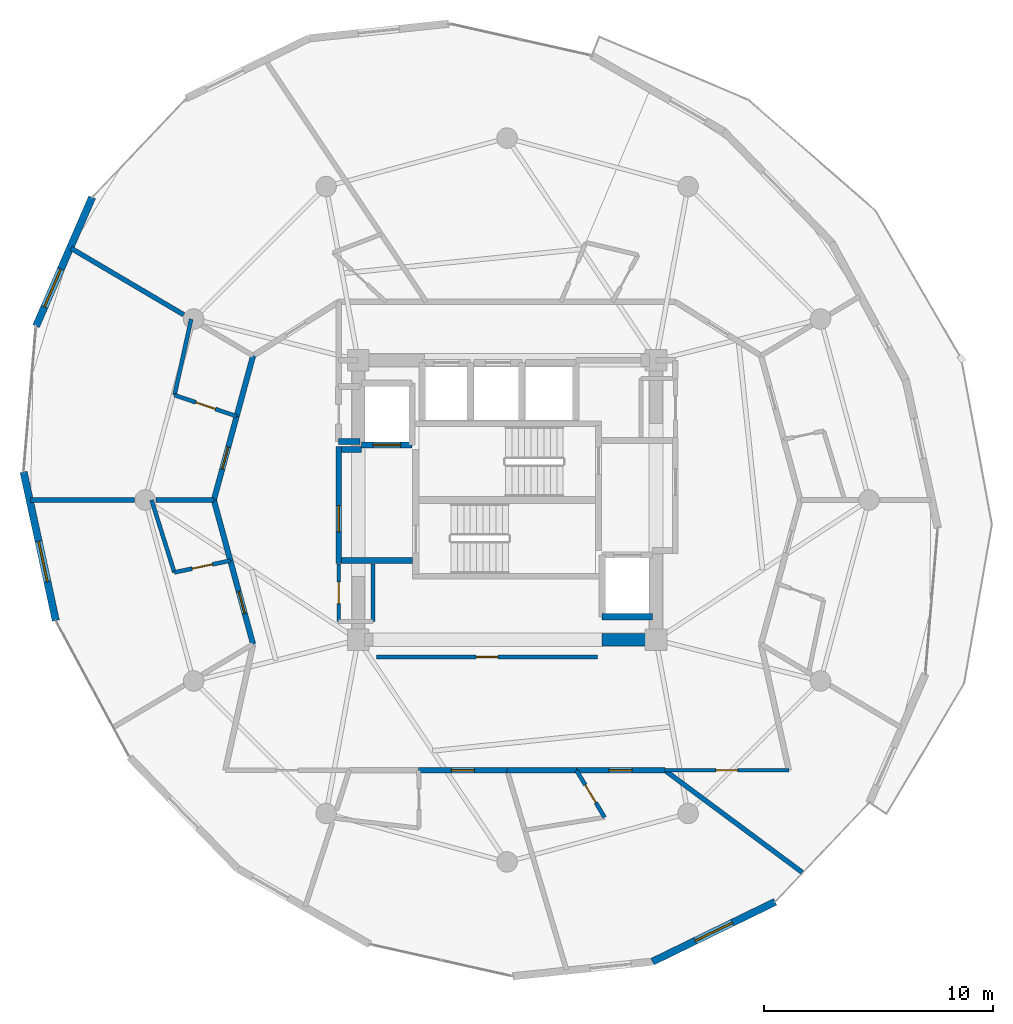
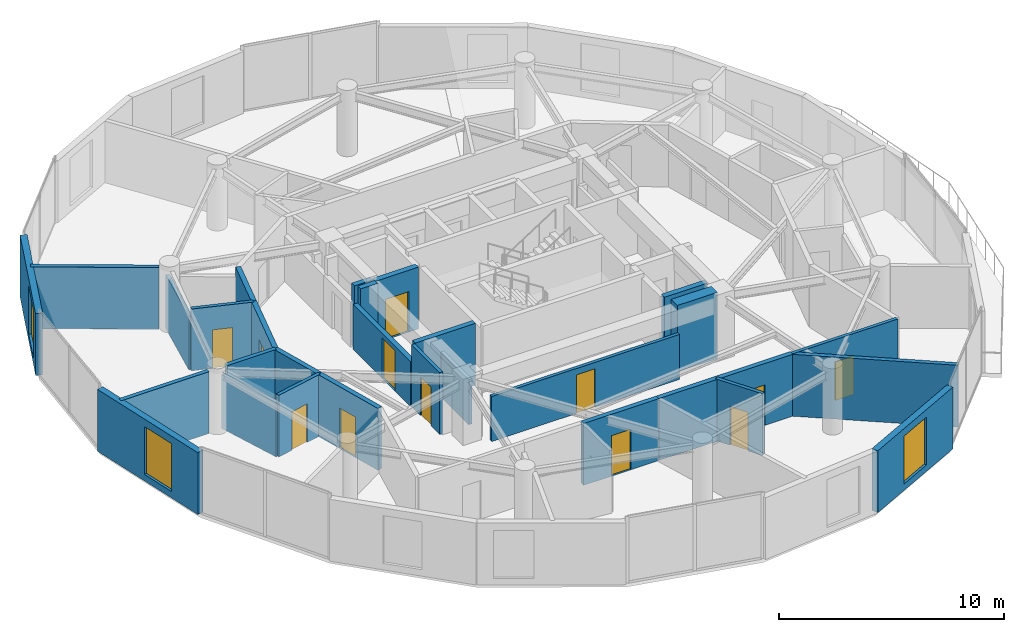
# One storey, part 18 of 23: 30 walls, 12 doors, 3 windows, 15 openings.
"""IFC4 building model written with IfcOpenShell, lengths in metres."""

from ifc_helpers import new_model, si_unit, direction, frame, frame_2d, origin, place, context, subcontext, project, spatial, rectangle, extrude, material, layer, layer_set, type_object, element, fill, save


model = new_model("IFC4")

# Units and contexts
model_context = context("Model", 3, precision=1e-05, world=origin(), true_north=direction((0.0, 1.0)))
body_context = subcontext(model_context, "Body", "Model", "MODEL_VIEW")
ifc_project = project(units=[si_unit("LENGTHUNIT", "METRE"), si_unit("AREAUNIT", "SQUARE_METRE"), si_unit("VOLUMEUNIT", "CUBIC_METRE"), si_unit("PLANEANGLEUNIT", "RADIAN"), si_unit("MASSUNIT", "GRAM", prefix="KILO")], contexts=[model_context])

# Site, building, storey
site_placement = place(None, origin())
site = spatial("IfcSite", under=ifc_project, at=site_placement, CompositionType="ELEMENT")
building_placement = place(site_placement, origin())
building = spatial("IfcBuilding", under=site, at=building_placement, Name="Solvirekh Grand Hotel", CompositionType="ELEMENT")
storey_placement = place(building_placement, frame((0.0, 0.0, 176.800048828125)))
storey = spatial("IfcBuildingStorey", under=building, at=storey_placement, Name="L45", CompositionType="ELEMENT", Elevation=176.800048828125)

# Wall, opening, door
ifc_material_1 = material(Name="Concrete C40/50", Category="concrete")
ifc_layer_1 = layer(ifc_material_1, 0.280029296875)
ifc_layer_set_1 = layer_set([ifc_layer_1], Name="Concrete C40/50")
wall_type_1 = type_object("IfcWallType", Name="CoreShaftWall_RC280", PredefinedType="SOLIDWALL", material=ifc_layer_set_1)
wall_1_placement = place(storey_placement, frame((-6.35009765625, 2.39990234375, 0.0), z_axis=(0.0, 0.0, 1.0), x_axis=(1.0, 0.0, 0.0)))
wall_1 = element("IfcWall", 1, at=wall_1_placement, inside=storey, type_object=wall_type_1, Name="L45 FL-1 hoistway S wall", PredefinedType="SOLIDWALL", context=body_context, shape_type="SweptSolid", body=[
    extrude(rectangle(XDim=2.2001953125, YDim=0.280029296875, at=frame_2d((1.10009765625, 0.0))), origin(), (0.0, 0.0, 1.0), 3.35986328125),
])
opening_1_placement = place(wall_1_placement, frame((0.5, 0.0, 0.0)))
opening_1 = element("IfcOpeningElement", 2, at=opening_1_placement, cuts=wall_1, Name="Opening LD02", PredefinedType="OPENING", context=body_context, shape_type="SweptSolid", body=[
    extrude(rectangle(XDim=1.199951171875, YDim=2.199951171875, at=frame_2d((0.60009765625, 1.10009765625))), frame((0.0, 0.14990234375, 0.0), z_axis=(0.0, -1.0, 0.0), x_axis=(1.0, 0.0, 0.0)), (0.0, 0.0, 1.0), 0.300048828125),
])
ifc_material_2 = material(Name="Fire-Rated Steel Door Assembly", Category="steel")
door_type_1 = type_object("IfcDoorType", Name="Door_LiftFF_1200X2200", OperationType="SLIDING_TO_LEFT", PredefinedType="DOOR", material=ifc_material_2)
door_1_placement = place(opening_1_placement, origin())
door_1 = element("IfcDoor", 3, at=door_1_placement, inside=storey, type_object=door_type_1, Name="L45 FL-1 sliding lift landing door", OperationType="SLIDING_TO_LEFT", OverallHeight=2.199951171875, OverallWidth=1.199951171875, PredefinedType="DOOR", context=body_context, shape_type="SweptSolid", body=[
    extrude(rectangle(XDim=1.199951171875, YDim=2.199951171875, at=frame_2d((0.60009765625, 1.10009765625))), frame((0.0, 0.02490234375, 0.0), z_axis=(0.0, -1.0, 0.0), x_axis=(1.0, 0.0, 0.0)), (0.0, 0.0, 1.0), 0.050048828125),
])
fill(opening_1, door_1)

# Walls
wall_2_placement = place(storey_placement, frame((4.14990234375, -5.10009765625, 0.0), z_axis=(0.0, 0.0, 1.0), x_axis=(1.0, 0.0, 0.0)))
element("IfcWall", 4, at=wall_2_placement, inside=storey, type_object=wall_type_1, Name="L45 FL-2 hoistway S wall", PredefinedType="SOLIDWALL", context=body_context, shape_type="SweptSolid", body=[
    extrude(rectangle(XDim=2.2001953125, YDim=0.280029296875, at=frame_2d((1.10009765625, 0.0))), origin(), (0.0, 0.0, 1.0), 3.35986328125),
])
ifc_material_3 = material(Name="Concrete C50/60", Category="concrete")
ifc_layer_2 = layer(ifc_material_3, 0.550048828125)
ifc_layer_set_2 = layer_set([ifc_layer_2], Name="Concrete C50/60")
wall_type_2 = type_object("IfcWallType", Name="CoreWall_RC550", PredefinedType="SHEAR", material=ifc_layer_set_2)
wall_3_placement = place(storey_placement, frame((4.14990234375, -6.10009765625, 0.0), z_axis=(0.0, 0.0, 1.0), x_axis=(1.0, 0.0, 0.0)))
element("IfcWall", 5, at=wall_3_placement, inside=storey, type_object=wall_type_2, Name="L45 core corner shear wall SE-S", PredefinedType="SHEAR", context=body_context, shape_type="SweptSolid", body=[
    extrude(rectangle(XDim=2.0751953125, YDim=0.550048828125, at=frame_2d((1.03759765625, 0.0))), origin(), (0.0, 0.0, 1.0), 3.599853515625),
])

# Wall, opening, window
ifc_material_4 = material(Name="Precast concrete C45/55", Category="concrete")
ifc_layer_3 = layer(ifc_material_4, 0.320068359375)
ifc_layer_set_3 = layer_set([ifc_layer_3], Name="Precast concrete C45/55")
wall_type_3 = type_object("IfcWallType", Name="ExtLobbyWall_RC320", PredefinedType="SOLIDWALL", material=ifc_layer_set_3)
wall_4_placement = place(storey_placement, frame((-20.56005859375, 7.590087890625, 0.0), z_axis=(0.0, 0.0, 1.0), x_axis=(0.398911001453, 0.916989647117, 0.0)))
wall_4 = element("IfcWall", 6, at=wall_4_placement, inside=storey, type_object=wall_type_3, Name="L45 exterior structural wall chord 12", PredefinedType="SOLIDWALL", context=body_context, shape_type="SweptSolid", body=[
    extrude(rectangle(XDim=6.1318359375, YDim=0.320068359375, at=frame_2d((3.06591796875, 0.0))), origin(), (0.0, 0.0, 1.0), 3.35986328125),
])
opening_2_placement = place(wall_4_placement, frame((0.9130859375, 0.0, 0.35009765625)))
opening_2 = element("IfcOpeningElement", 7, at=opening_2_placement, cuts=wall_4, Name="Opening W02", PredefinedType="OPENING", context=body_context, shape_type="SweptSolid", body=[
    extrude(rectangle(XDim=1.800048828125, YDim=2.60009765625, at=frame_2d((0.89990234375, 1.300048828125))), frame((0.0, 0.169921875, 0.0), z_axis=(0.0, -1.0, 0.0), x_axis=(1.0, 0.0, 0.0)), (0.0, 0.0, 1.0), 0.340087890625),
])
ifc_material_5 = material(Name="Low-E Tinted Bronze Laminated Glass", Category="aluminium")
window_type = type_object("IfcWindowType", Name="Win_LobbyExt_1800X2600", PartitioningType="SINGLE_PANEL", PredefinedType="WINDOW", material=ifc_material_5)
window_1_placement = place(opening_2_placement, origin())
window_1 = element("IfcWindow", 8, at=window_1_placement, inside=storey, type_object=window_type, Name="L45 panoramic bronze-framed window 12", OverallHeight=2.60009765625, OverallWidth=1.800048828125, PartitioningType="SINGLE_PANEL", PredefinedType="WINDOW", context=body_context, shape_type="SweptSolid", body=[
    extrude(rectangle(XDim=1.800048828125, YDim=2.60009765625, at=frame_2d((0.89990234375, 1.300048828125))), frame((0.0, 0.030029296875, 0.0), z_axis=(0.0, -1.0, 0.0), x_axis=(1.0, 0.0, 0.0)), (0.0, 0.0, 1.0), 0.06005859375),
])
fill(opening_2, window_1)

wall_5_placement = place(storey_placement, frame((-19.697998046875, -5.261962890625, 0.0), z_axis=(0.0, 0.0, 1.0), x_axis=(-0.211992849193, 0.977271217161, 0.0)))
wall_5 = element("IfcWall", 9, at=wall_5_placement, inside=storey, type_object=wall_type_3, Name="L45 exterior structural wall chord 14", PredefinedType="SOLIDWALL", context=body_context, shape_type="SweptSolid", body=[
    extrude(rectangle(XDim=6.636962890625, YDim=0.320068359375, at=frame_2d((3.318359375, 0.0))), origin(), (0.0, 0.0, 1.0), 3.35986328125),
])
opening_3_placement = place(wall_5_placement, frame((1.738037109375, 0.0, 0.35009765625)))
opening_3 = element("IfcOpeningElement", 10, at=opening_3_placement, cuts=wall_5, Name="Opening W02", PredefinedType="OPENING", context=body_context, shape_type="SweptSolid", body=[
    extrude(rectangle(XDim=1.800048828125, YDim=2.60009765625, at=frame_2d((0.89990234375, 1.300048828125))), frame((0.0, 0.169921875, 0.0), z_axis=(0.0, -1.0, 0.0), x_axis=(1.0, 0.0, 0.0)), (0.0, 0.0, 1.0), 0.340087890625),
])
window_2_placement = place(opening_3_placement, origin())
window_2 = element("IfcWindow", 11, at=window_2_placement, inside=storey, type_object=window_type, Name="L45 panoramic bronze-framed window 14", OverallHeight=2.60009765625, OverallWidth=1.800048828125, PartitioningType="SINGLE_PANEL", PredefinedType="WINDOW", context=body_context, shape_type="SweptSolid", body=[
    extrude(rectangle(XDim=1.800048828125, YDim=2.60009765625, at=frame_2d((0.89990234375, 1.300048828125))), frame((0.0, 0.030029296875, 0.0), z_axis=(0.0, -1.0, 0.0), x_axis=(1.0, 0.0, 0.0)), (0.0, 0.0, 1.0), 0.06005859375),
])
fill(opening_3, window_2)

wall_6_placement = place(storey_placement, frame((11.7080078125, -17.5419921875, 0.0), z_axis=(0.0, 0.0, 1.0), x_axis=(-0.899034471399, -0.437877858811, 0.0)))
wall_6 = element("IfcWall", 12, at=wall_6_placement, inside=storey, type_object=wall_type_3, Name="L45 exterior structural wall chord 20", PredefinedType="SOLIDWALL", context=body_context, shape_type="SweptSolid", body=[
    extrude(rectangle(XDim=5.967529296875, YDim=0.320068359375, at=frame_2d((2.98388671875, 0.0))), origin(), (0.0, 0.0, 1.0), 3.35986328125),
])
opening_4_placement = place(wall_6_placement, frame((2.083984375, 0.0, 0.35009765625)))
opening_4 = element("IfcOpeningElement", 13, at=opening_4_placement, cuts=wall_6, Name="Opening W02", PredefinedType="OPENING", context=body_context, shape_type="SweptSolid", body=[
    extrude(rectangle(XDim=1.800048828125, YDim=2.60009765625, at=frame_2d((0.89990234375, 1.300048828125))), frame((0.0, 0.169921875, 0.0), z_axis=(0.0, -1.0, 0.0), x_axis=(1.0, 0.0, 0.0)), (0.0, 0.0, 1.0), 0.340087890625),
])
window_3_placement = place(opening_4_placement, origin())
window_3 = element("IfcWindow", 14, at=window_3_placement, inside=storey, type_object=window_type, Name="L45 panoramic bronze-framed window 20", OverallHeight=2.60009765625, OverallWidth=1.800048828125, PartitioningType="SINGLE_PANEL", PredefinedType="WINDOW", context=body_context, shape_type="SweptSolid", body=[
    extrude(rectangle(XDim=1.800048828125, YDim=2.60009765625, at=frame_2d((0.89990234375, 1.300048828125))), frame((0.0, 0.030029296875, 0.0), z_axis=(0.0, -1.0, 0.0), x_axis=(1.0, 0.0, 0.0)), (0.0, 0.0, 1.0), 0.06005859375),
])
fill(opening_4, window_3)

# Wall
ifc_material_6 = material(Name="Acoustic Gypsum Partition Assembly")
ifc_layer_4 = layer(ifc_material_6, 0.1650390625)
ifc_layer_set_4 = layer_set([ifc_layer_4], Name="Acoustic Gypsum Partition Assembly")
wall_type_4 = type_object("IfcWallType", Name="Part_BOH_165", PredefinedType="PARTITIONING", material=ifc_layer_set_4)
wall_7_placement = place(storey_placement, frame((-5.85009765625, -5.300048828125, 0.0), z_axis=(0.0, 0.0, 1.0), x_axis=(0.0, 1.0, 0.0)))
element("IfcWall", 15, at=wall_7_placement, inside=storey, type_object=wall_type_4, Name="L45 L45 Core Linen Store wall 2", PredefinedType="PARTITIONING", context=body_context, shape_type="SweptSolid", body=[
    extrude(rectangle(XDim=2.5, YDim=0.1650390625, at=frame_2d((1.25, 0.0))), origin(), (0.0, 0.0, 1.0), 2.445068359375),
])

# Wall, opening, door
wall_8_placement = place(storey_placement, frame((-7.35009765625, -2.800048828125, 0.0), z_axis=(0.0, 0.0, 1.0), x_axis=(0.0, -1.0, 0.0)))
wall_8 = element("IfcWall", 16, at=wall_8_placement, inside=storey, type_object=wall_type_4, Name="L45 L45 Core Linen Store wall 4", PredefinedType="PARTITIONING", context=body_context, shape_type="SweptSolid", body=[
    extrude(rectangle(XDim=2.5, YDim=0.1650390625, at=frame_2d((1.25, 0.0))), origin(), (0.0, 0.0, 1.0), 3.35986328125),
])
opening_5_placement = place(wall_8_placement, frame((0.77490234375, 0.0, 0.0)))
opening_5 = element("IfcOpeningElement", 17, at=opening_5_placement, cuts=wall_8, Name="Opening D10", PredefinedType="OPENING", context=body_context, shape_type="SweptSolid", body=[
    extrude(rectangle(XDim=0.949951171875, YDim=2.10009765625, at=frame_2d((0.47509765625, 1.050048828125))), frame((0.0, 0.092529296875, 0.0), z_axis=(0.0, -1.0, 0.0), x_axis=(1.0, 0.0, 0.0)), (0.0, 0.0, 1.0), 0.18505859375),
])
ifc_material_7 = material(Name="Anodized Bronze Aluminium 6063-T6", Category="aluminium")
door_type_2 = type_object("IfcDoorType", Name="Door_RoomInt_950X2100", OperationType="NOTDEFINED", PredefinedType="DOOR", material=ifc_material_7)
door_2_placement = place(opening_5_placement, origin())
door_2 = element("IfcDoor", 18, at=door_2_placement, inside=storey, type_object=door_type_2, Name="L45 L45 Core Linen Store door", OperationType="SINGLE_SWING_LEFT", OverallHeight=2.10009765625, OverallWidth=0.949951171875, PredefinedType="DOOR", context=body_context, shape_type="SweptSolid", body=[
    extrude(rectangle(XDim=0.949951171875, YDim=2.10009765625, at=frame_2d((0.47509765625, 1.050048828125))), frame((0.0, 0.02490234375, 0.0), z_axis=(0.0, -1.0, 0.0), x_axis=(1.0, 0.0, 0.0)), (0.0, 0.0, 1.0), 0.050048828125),
])
fill(opening_5, door_2)

wall_9_placement = place(storey_placement, frame((-5.699951171875, -6.85009765625, 0.0), z_axis=(0.0, 0.0, 1.0), x_axis=(1.0, 0.0, 0.0)))
wall_9 = element("IfcWall", 19, at=wall_9_placement, inside=storey, type_object=wall_type_4, Name="L45 Housekeeping & Linen Store wall 1", PredefinedType="PARTITIONING", context=body_context, shape_type="SweptSolid", body=[
    extrude(rectangle(XDim=9.64990234375, YDim=0.1650390625, at=frame_2d((4.824951171875, 0.0))), origin(), (0.0, 0.0, 1.0), 2.445068359375),
])
opening_6_placement = place(wall_9_placement, frame((4.35009765625, 0.0, 0.0)))
opening_6 = element("IfcOpeningElement", 20, at=opening_6_placement, cuts=wall_9, Name="Opening D10", PredefinedType="OPENING", context=body_context, shape_type="SweptSolid", body=[
    extrude(rectangle(XDim=0.949951171875, YDim=2.10009765625, at=frame_2d((0.47509765625, 1.050048828125))), frame((0.0, 0.092529296875, 0.0), z_axis=(0.0, -1.0, 0.0), x_axis=(1.0, 0.0, 0.0)), (0.0, 0.0, 1.0), 0.18505859375),
])
door_3_placement = place(opening_6_placement, origin())
door_3 = element("IfcDoor", 21, at=door_3_placement, inside=storey, type_object=door_type_2, Name="L45 Housekeeping & Linen Store door", OperationType="SINGLE_SWING_LEFT", OverallHeight=2.10009765625, OverallWidth=0.949951171875, PredefinedType="DOOR", context=body_context, shape_type="SweptSolid", body=[
    extrude(rectangle(XDim=0.949951171875, YDim=2.10009765625, at=frame_2d((0.47509765625, 1.050048828125))), frame((0.0, 0.02490234375, 0.0), z_axis=(0.0, -1.0, 0.0), x_axis=(1.0, 0.0, 0.0)), (0.0, 0.0, 1.0), 0.050048828125),
])
fill(opening_6, door_3)

wall_10_placement = place(storey_placement, frame((6.887939453125, -11.800048828125, 0.0), z_axis=(0.0, 0.0, 1.0), x_axis=(1.0, 0.0, 0.0)))
wall_10 = element("IfcWall", 22, at=wall_10_placement, inside=storey, type_object=wall_type_4, Name="L45 L45 Butler Valet & Linen Steward Room entrance wall", PredefinedType="PARTITIONING", context=body_context, shape_type="SweptSolid", body=[
    extrude(rectangle(XDim=5.412109375, YDim=0.1650390625, at=frame_2d((2.7060546875, 0.0))), origin(), (0.0, 0.0, 1.0), 3.35986328125),
])
opening_7_placement = place(wall_10_placement, frame((2.23095703125, 0.0, 0.0)))
opening_7 = element("IfcOpeningElement", 23, at=opening_7_placement, cuts=wall_10, Name="Opening D10", PredefinedType="OPENING", context=body_context, shape_type="SweptSolid", body=[
    extrude(rectangle(XDim=0.949951171875, YDim=2.10009765625, at=frame_2d((0.47509765625, 1.050048828125))), frame((0.0, 0.092529296875, 0.0), z_axis=(0.0, -1.0, 0.0), x_axis=(1.0, 0.0, 0.0)), (0.0, 0.0, 1.0), 0.18505859375),
])
door_4_placement = place(opening_7_placement, origin())
door_4 = element("IfcDoor", 24, at=door_4_placement, inside=storey, type_object=door_type_2, Name="L45 L45 Butler Valet & Linen Steward Room entrance door", OperationType="SINGLE_SWING_RIGHT", OverallHeight=2.10009765625, OverallWidth=0.949951171875, PredefinedType="DOOR", context=body_context, shape_type="SweptSolid", body=[
    extrude(rectangle(XDim=0.949951171875, YDim=2.10009765625, at=frame_2d((0.47509765625, 1.050048828125))), frame((0.0, 0.02490234375, 0.0), z_axis=(0.0, -1.0, 0.0), x_axis=(1.0, 0.0, 0.0)), (0.0, 0.0, 1.0), 0.050048828125),
])
fill(opening_7, door_4)

ifc_layer_5 = layer(ifc_material_6, 0.239990234375)
ifc_layer_set_5 = layer_set([ifc_layer_5], Name="Acoustic Gypsum Partition Assembly")
wall_type_5 = type_object("IfcWallType", Name="Part_Corridor_240", PredefinedType="PARTITIONING", material=ifc_layer_set_5)
wall_11_placement = place(storey_placement, frame((-7.35009765625, -2.780029296875, 0.0), z_axis=(0.0, 0.0, 1.0), x_axis=(0.0, 1.0, 0.0)))
wall_11 = element("IfcWall", 25, at=wall_11_placement, inside=storey, type_object=wall_type_5, Name="L45 west firefighting lobby smoke screen wall", PredefinedType="PARTITIONING", context=body_context, shape_type="SweptSolid", body=[
    extrude(rectangle(XDim=5.1201171875, YDim=0.239990234375, at=frame_2d((2.56005859375, 0.0))), origin(), (0.0, 0.0, 1.0), 2.445068359375),
])
opening_8_placement = place(wall_11_placement, frame((1.388916015625, 0.0, 0.0)))
opening_8 = element("IfcOpeningElement", 26, at=opening_8_placement, cuts=wall_11, Name="Opening D06", PredefinedType="OPENING", context=body_context, shape_type="SweptSolid", body=[
    extrude(rectangle(XDim=1.14990234375, YDim=2.199951171875, at=frame_2d((0.574951171875, 1.10009765625))), frame((0.0, 0.1298828125, 0.0), z_axis=(0.0, -1.0, 0.0), x_axis=(1.0, 0.0, 0.0)), (0.0, 0.0, 1.0), 0.260009765625),
])
door_type_3 = type_object("IfcDoorType", Name="Door_FFLobby_1150X2200", OperationType="NOTDEFINED", PredefinedType="DOOR", material=ifc_material_2)
door_5_placement = place(opening_8_placement, origin())
door_5 = element("IfcDoor", 27, at=door_5_placement, inside=storey, type_object=door_type_3, Name="L45 west firefighting lobby smoke door", OperationType="SINGLE_SWING_RIGHT", OverallHeight=2.199951171875, OverallWidth=1.14990234375, PredefinedType="DOOR", context=body_context, shape_type="SweptSolid", body=[
    extrude(rectangle(XDim=1.14990234375, YDim=2.199951171875, at=frame_2d((0.574951171875, 1.10009765625))), frame((0.0, 0.02490234375, 0.0), z_axis=(0.0, -1.0, 0.0), x_axis=(1.0, 0.0, 0.0)), (0.0, 0.0, 1.0), 0.050048828125),
])
fill(opening_8, door_5)

# Wall
wall_12_placement = place(storey_placement, frame((-11.0849609375, 6.300048828125, 0.0), z_axis=(0.0, 0.0, 1.0), x_axis=(-0.262552356383, -0.964917747872, 0.0)))
element("IfcWall", 28, at=wall_12_placement, inside=storey, type_object=wall_type_5, Name="L45 En-suite Bathroom 4703 corridor backing wall", PredefinedType="PARTITIONING", context=body_context, shape_type="SweptSolid", body=[
    extrude(rectangle(XDim=2.7421875, YDim=0.239990234375, at=frame_2d((1.37109375, 0.0))), origin(), (0.0, 0.0, 1.0), 3.35986328125),
])

# Wall, opening, door
wall_13_placement = place(storey_placement, frame((-11.804931640625, 3.654052734375, 0.0), z_axis=(0.0, 0.0, 1.0), x_axis=(-0.262762825819, -0.964860454868, 0.0)))
wall_13 = element("IfcWall", 29, at=wall_13_placement, inside=storey, type_object=wall_type_5, Name="L45 Deluxe Guestroom 4703 entrance wall", PredefinedType="PARTITIONING", context=body_context, shape_type="SweptSolid", body=[
    extrude(rectangle(XDim=3.787109375, YDim=0.239990234375, at=frame_2d((1.8935546875, 0.0))), origin(), (0.0, 0.0, 1.0), 3.35986328125),
])
opening_9_placement = place(wall_13_placement, frame((1.39404296875, 0.0, 0.0)))
opening_9 = element("IfcOpeningElement", 30, at=opening_9_placement, cuts=wall_13, Name="Opening D07", PredefinedType="OPENING", context=body_context, shape_type="SweptSolid", body=[
    extrude(rectangle(XDim=1.0, YDim=2.199951171875, at=frame_2d((0.5, 1.10009765625))), frame((0.0, 0.1298828125, 0.0), z_axis=(0.0, -1.0, 0.0), x_axis=(1.0, 0.0, 0.0)), (0.0, 0.0, 1.0), 0.260009765625),
])
door_type_4 = type_object("IfcDoorType", Name="Door_GuestEntry_1000X2200", OperationType="NOTDEFINED", PredefinedType="DOOR", material=ifc_material_2)
door_6_placement = place(opening_9_placement, origin())
door_6 = element("IfcDoor", 31, at=door_6_placement, inside=storey, type_object=door_type_4, Name="L45 Deluxe Guestroom 4703 entrance door", OperationType="SINGLE_SWING_RIGHT", OverallHeight=2.199951171875, OverallWidth=1.0, PredefinedType="DOOR", context=body_context, shape_type="SweptSolid", body=[
    extrude(rectangle(XDim=1.0, YDim=2.199951171875, at=frame_2d((0.5, 1.10009765625))), frame((0.0, 0.02490234375, 0.0), z_axis=(0.0, -1.0, 0.0), x_axis=(1.0, 0.0, 0.0)), (0.0, 0.0, 1.0), 0.050048828125),
])
fill(opening_9, door_6)

# Wall
wall_14_placement = place(storey_placement, frame((-12.800048828125, 0.0, 0.0), z_axis=(0.0, 0.0, 1.0), x_axis=(0.262552356383, -0.964917747872, 0.0)))
element("IfcWall", 32, at=wall_14_placement, inside=storey, type_object=wall_type_5, Name="L45 En-suite Bathroom 4704 corridor backing wall", PredefinedType="PARTITIONING", context=body_context, shape_type="SweptSolid", body=[
    extrude(rectangle(XDim=2.7421875, YDim=0.239990234375, at=frame_2d((1.37109375, 0.0))), origin(), (0.0, 0.0, 1.0), 3.35986328125),
])

# Wall, opening, door
wall_15_placement = place(storey_placement, frame((-12.080078125, -2.64599609375, 0.0), z_axis=(0.0, 0.0, 1.0), x_axis=(0.262762825819, -0.964860454868, 0.0)))
wall_15 = element("IfcWall", 33, at=wall_15_placement, inside=storey, type_object=wall_type_5, Name="L45 Deluxe Guestroom 4704 entrance wall", PredefinedType="PARTITIONING", context=body_context, shape_type="SweptSolid", body=[
    extrude(rectangle(XDim=3.787109375, YDim=0.239990234375, at=frame_2d((1.8935546875, 0.0))), origin(), (0.0, 0.0, 1.0), 3.35986328125),
])
opening_10_placement = place(wall_15_placement, frame((1.39404296875, 0.0, 0.0)))
opening_10 = element("IfcOpeningElement", 34, at=opening_10_placement, cuts=wall_15, Name="Opening D07", PredefinedType="OPENING", context=body_context, shape_type="SweptSolid", body=[
    extrude(rectangle(XDim=1.0, YDim=2.199951171875, at=frame_2d((0.5, 1.10009765625))), frame((0.0, 0.1298828125, 0.0), z_axis=(0.0, -1.0, 0.0), x_axis=(1.0, 0.0, 0.0)), (0.0, 0.0, 1.0), 0.260009765625),
])
door_7_placement = place(opening_10_placement, origin())
door_7 = element("IfcDoor", 35, at=door_7_placement, inside=storey, type_object=door_type_4, Name="L45 Deluxe Guestroom 4704 entrance door", OperationType="SINGLE_SWING_RIGHT", OverallHeight=2.199951171875, OverallWidth=1.0, PredefinedType="DOOR", context=body_context, shape_type="SweptSolid", body=[
    extrude(rectangle(XDim=1.0, YDim=2.199951171875, at=frame_2d((0.5, 1.10009765625))), frame((0.0, 0.02490234375, 0.0), z_axis=(0.0, -1.0, 0.0), x_axis=(1.0, 0.0, 0.0)), (0.0, 0.0, 1.0), 0.050048828125),
])
fill(opening_10, door_7)

wall_16_placement = place(storey_placement, frame((-3.85693359375, -11.800048828125, 0.0), z_axis=(0.0, 0.0, 1.0), x_axis=(1.0, 0.0, 0.0)))
wall_16 = element("IfcWall", 36, at=wall_16_placement, inside=storey, type_object=wall_type_5, Name="L45 Deluxe Guestroom 4707 entrance wall", PredefinedType="PARTITIONING", context=body_context, shape_type="SweptSolid", body=[
    extrude(rectangle(XDim=3.85693359375, YDim=0.239990234375, at=frame_2d((1.928466796875, 0.0))), origin(), (0.0, 0.0, 1.0), 3.35986328125),
])
opening_11_placement = place(wall_16_placement, frame((1.428955078125, 0.0, 0.0)))
opening_11 = element("IfcOpeningElement", 37, at=opening_11_placement, cuts=wall_16, Name="Opening D07", PredefinedType="OPENING", context=body_context, shape_type="SweptSolid", body=[
    extrude(rectangle(XDim=1.0, YDim=2.199951171875, at=frame_2d((0.5, 1.10009765625))), frame((0.0, 0.1298828125, 0.0), z_axis=(0.0, -1.0, 0.0), x_axis=(1.0, 0.0, 0.0)), (0.0, 0.0, 1.0), 0.260009765625),
])
door_8_placement = place(opening_11_placement, origin())
door_8 = element("IfcDoor", 38, at=door_8_placement, inside=storey, type_object=door_type_4, Name="L45 Deluxe Guestroom 4707 entrance door", OperationType="SINGLE_SWING_LEFT", OverallHeight=2.199951171875, OverallWidth=1.0, PredefinedType="DOOR", context=body_context, shape_type="SweptSolid", body=[
    extrude(rectangle(XDim=1.0, YDim=2.199951171875, at=frame_2d((0.5, 1.10009765625))), frame((0.0, 0.02490234375, 0.0), z_axis=(0.0, -1.0, 0.0), x_axis=(1.0, 0.0, 0.0)), (0.0, 0.0, 1.0), 0.050048828125),
])
fill(opening_11, door_8)

# Wall
wall_17_placement = place(storey_placement, frame((0.0, -11.800048828125, 0.0), z_axis=(0.0, 0.0, 1.0), x_axis=(1.0, 0.0, 0.0)))
element("IfcWall", 39, at=wall_17_placement, inside=storey, type_object=wall_type_5, Name="L45 En-suite Bathroom 4708 corridor backing wall", PredefinedType="PARTITIONING", context=body_context, shape_type="SweptSolid", body=[
    extrude(rectangle(XDim=3.031005859375, YDim=0.239990234375, at=frame_2d((1.515625, 0.0))), origin(), (0.0, 0.0, 1.0), 3.35986328125),
])

# Wall, opening, door
wall_18_placement = place(storey_placement, frame((3.031005859375, -11.800048828125, 0.0), z_axis=(0.0, 0.0, 1.0), x_axis=(1.0, 0.0, 0.0)))
wall_18 = element("IfcWall", 40, at=wall_18_placement, inside=storey, type_object=wall_type_5, Name="L45 Deluxe Guestroom 4708 entrance wall", PredefinedType="PARTITIONING", context=body_context, shape_type="SweptSolid", body=[
    extrude(rectangle(XDim=3.85693359375, YDim=0.239990234375, at=frame_2d((1.928466796875, 0.0))), origin(), (0.0, 0.0, 1.0), 3.35986328125),
])
opening_12_placement = place(wall_18_placement, frame((1.427978515625, 0.0, 0.0)))
opening_12 = element("IfcOpeningElement", 41, at=opening_12_placement, cuts=wall_18, Name="Opening D07", PredefinedType="OPENING", context=body_context, shape_type="SweptSolid", body=[
    extrude(rectangle(XDim=1.0, YDim=2.199951171875, at=frame_2d((0.5, 1.10009765625))), frame((0.0, 0.1298828125, 0.0), z_axis=(0.0, -1.0, 0.0), x_axis=(1.0, 0.0, 0.0)), (0.0, 0.0, 1.0), 0.260009765625),
])
door_9_placement = place(opening_12_placement, origin())
door_9 = element("IfcDoor", 42, at=door_9_placement, inside=storey, type_object=door_type_4, Name="L45 Deluxe Guestroom 4708 entrance door", OperationType="SINGLE_SWING_LEFT", OverallHeight=2.199951171875, OverallWidth=1.0, PredefinedType="DOOR", context=body_context, shape_type="SweptSolid", body=[
    extrude(rectangle(XDim=1.0, YDim=2.199951171875, at=frame_2d((0.5, 1.10009765625))), frame((0.0, 0.02490234375, 0.0), z_axis=(0.0, -1.0, 0.0), x_axis=(1.0, 0.0, 0.0)), (0.0, 0.0, 1.0), 0.050048828125),
])
fill(opening_12, door_9)

# Walls
ifc_layer_6 = layer(ifc_material_6, 0.260009765625)
ifc_layer_set_6 = layer_set([ifc_layer_6], Name="Acoustic Gypsum Partition Assembly")
wall_type_6 = type_object("IfcWallType", Name="Part_LobbyFF_260", PredefinedType="PARTITIONING", material=ifc_layer_set_6)
wall_19_placement = place(storey_placement, frame((-7.22509765625, -2.64990234375, 0.0), z_axis=(0.0, 0.0, 1.0), x_axis=(1.0, 0.0, 0.0)))
element("IfcWall", 43, at=wall_19_placement, inside=storey, type_object=wall_type_6, Name="L45 west firefighting lobby south partition", PredefinedType="PARTITIONING", context=body_context, shape_type="SweptSolid", body=[
    extrude(rectangle(XDim=3.09521484375, YDim=0.260009765625, at=frame_2d((1.547607421875, 0.0))), origin(), (0.0, 0.0, 1.0), 3.35986328125),
])
wall_20_placement = place(storey_placement, frame((-7.22509765625, 2.2099609375, 0.0), z_axis=(0.0, 0.0, 1.0), x_axis=(1.0, 0.0, 0.0)))
element("IfcWall", 44, at=wall_20_placement, inside=storey, type_object=wall_type_6, Name="L45 west firefighting lobby NW cheek", PredefinedType="PARTITIONING", context=body_context, shape_type="SweptSolid", body=[
    extrude(rectangle(XDim=0.875, YDim=0.260009765625, at=frame_2d((0.4375, 0.0))), origin(), (0.0, 0.0, 1.0), 3.35986328125),
])
wall_21_placement = place(storey_placement, frame((-7.35009765625, 2.550048828125, 0.0), z_axis=(0.0, 0.0, 1.0), x_axis=(1.0, 0.0, 0.0)))
element("IfcWall", 45, at=wall_21_placement, inside=storey, type_object=wall_type_6, Name="L45 NW telecom metering cupboard south wall", PredefinedType="PARTITIONING", context=body_context, shape_type="SweptSolid", body=[
    extrude(rectangle(XDim=0.93017578125, YDim=0.260009765625, at=frame_2d((0.465087890625, 0.0))), origin(), (0.0, 0.0, 1.0), 3.35986328125),
])
ifc_layer_7 = layer(ifc_material_6, 0.2099609375)
ifc_layer_set_7 = layer_set([ifc_layer_7], Name="Acoustic Gypsum Partition Assembly")
wall_type_7 = type_object("IfcWallType", Name="Part_SuiteDemise_210", PredefinedType="PARTITIONING", material=ifc_layer_set_7)
wall_22_placement = place(storey_placement, frame((-14.114013671875, 8.0869140625, 0.0), z_axis=(0.0, 0.0, 1.0), x_axis=(-0.861313184314, 0.50807440255, 0.0)))
element("IfcWall", 46, at=wall_22_placement, inside=storey, type_object=wall_type_7, Name="L45 suite radial wall 6 (B)", PredefinedType="PARTITIONING", context=body_context, shape_type="SweptSolid", body=[
    extrude(rectangle(XDim=5.7158203125, YDim=0.2099609375, at=frame_2d((2.85791015625, 0.0))), origin(), (0.0, 0.0, 1.0), 3.35986328125),
])
wall_23_placement = place(storey_placement, frame((-12.800048828125, 0.0, 0.0), z_axis=(0.0, 0.0, 1.0), x_axis=(-1.0, 0.0, 0.0)))
element("IfcWall", 47, at=wall_23_placement, inside=storey, type_object=wall_type_7, Name="L45 suite radial wall 7 (A)", PredefinedType="PARTITIONING", context=body_context, shape_type="SweptSolid", body=[
    extrude(rectangle(XDim=2.530029296875, YDim=0.2099609375, at=frame_2d((1.26513671875, 0.0))), origin(), (0.0, 0.0, 1.0), 3.35986328125),
])
wall_24_placement = place(storey_placement, frame((-16.27001953125, 0.0, 0.0), z_axis=(0.0, 0.0, 1.0), x_axis=(-1.0, 0.0, 0.0)))
element("IfcWall", 48, at=wall_24_placement, inside=storey, type_object=wall_type_7, Name="L45 suite radial wall 7 (B)", PredefinedType="PARTITIONING", context=body_context, shape_type="SweptSolid", body=[
    extrude(rectangle(XDim=4.529052734375, YDim=0.2099609375, at=frame_2d((2.2646484375, 0.0))), origin(), (0.0, 0.0, 1.0), 3.35986328125),
])
wall_25_placement = place(storey_placement, frame((6.887939453125, -11.800048828125, 0.0), z_axis=(0.0, 0.0, 1.0), x_axis=(0.802774719759, -0.596282440892, 0.0)))
element("IfcWall", 49, at=wall_25_placement, inside=storey, type_object=wall_type_7, Name="L45 Deluxe Guestroom 4708 dividing partition 1", PredefinedType="PARTITIONING", context=body_context, shape_type="SweptSolid", body=[
    extrude(rectangle(XDim=7.462890625, YDim=0.2099609375, at=frame_2d((3.7314453125, 0.0))), origin(), (0.0, 0.0, 1.0), 3.35986328125),
])
ifc_layer_8 = layer(ifc_material_6, 0.175048828125)
ifc_layer_set_8 = layer_set([ifc_layer_8], Name="Acoustic Gypsum Partition Assembly")
wall_type_8 = type_object("IfcWallType", Name="Plumb_Ensuite_175", PredefinedType="PLUMBINGWALL", material=ifc_layer_set_8)
wall_26_placement = place(storey_placement, frame((-13.7890625, 7.89501953125, 0.0), z_axis=(0.0, 0.0, 1.0), x_axis=(-0.213829865727, -0.976870917022, 0.0)))
element("IfcWall", 50, at=wall_26_placement, inside=storey, type_object=wall_type_8, Name="L45 En-suite Bathroom 4703 outer plumbing wall", PredefinedType="PLUMBINGWALL", context=body_context, shape_type="SweptSolid", body=[
    extrude(rectangle(XDim=3.39453125, YDim=0.175048828125, at=frame_2d((1.697265625, 0.0))), origin(), (0.0, 0.0, 1.0), 2.928955078125),
])

# Wall, opening, door
wall_27_placement = place(storey_placement, frame((-11.804931640625, 3.654052734375, 0.0), z_axis=(0.0, 0.0, 1.0), x_axis=(-0.946382283588, 0.323048871398, 0.0)))
wall_27 = element("IfcWall", 51, at=wall_27_placement, inside=storey, type_object=wall_type_8, Name="L45 En-suite Bathroom 4703 entry plumbing wall", PredefinedType="PLUMBINGWALL", context=body_context, shape_type="SweptSolid", body=[
    extrude(rectangle(XDim=2.863525390625, YDim=0.175048828125, at=frame_2d((1.431640625, 0.0))), origin(), (0.0, 0.0, 1.0), 3.35986328125),
])
opening_13_placement = place(wall_27_placement, frame((0.98193359375, 0.0, 0.0)))
opening_13 = element("IfcOpeningElement", 52, at=opening_13_placement, cuts=wall_27, Name="Opening D09", PredefinedType="OPENING", context=body_context, shape_type="SweptSolid", body=[
    extrude(rectangle(XDim=0.89990234375, YDim=2.10009765625, at=frame_2d((0.449951171875, 1.050048828125))), frame((0.0, 0.09765625, 0.0), z_axis=(0.0, -1.0, 0.0), x_axis=(1.0, 0.0, 0.0)), (0.0, 0.0, 1.0), 0.195068359375),
])
door_type_5 = type_object("IfcDoorType", Name="Door_Ensuite_900X2100", OperationType="NOTDEFINED", PredefinedType="DOOR", material=ifc_material_7)
door_10_placement = place(opening_13_placement, origin())
door_10 = element("IfcDoor", 53, at=door_10_placement, inside=storey, type_object=door_type_5, Name="L45 En-suite Bathroom 4703 door", OperationType="SINGLE_SWING_LEFT", OverallHeight=2.10009765625, OverallWidth=0.89990234375, PredefinedType="DOOR", context=body_context, shape_type="SweptSolid", body=[
    extrude(rectangle(XDim=0.89990234375, YDim=2.10009765625, at=frame_2d((0.449951171875, 1.050048828125))), frame((0.0, 0.02490234375, 0.0), z_axis=(0.0, -1.0, 0.0), x_axis=(1.0, 0.0, 0.0)), (0.0, 0.0, 1.0), 0.050048828125),
])
fill(opening_13, door_10)

# Wall
wall_28_placement = place(storey_placement, frame((-15.52001953125, 0.0, 0.0), z_axis=(0.0, 0.0, 1.0), x_axis=(0.300912730095, -0.953651681101, 0.0)))
element("IfcWall", 54, at=wall_28_placement, inside=storey, type_object=wall_type_8, Name="L45 En-suite Bathroom 4704 outer plumbing wall", PredefinedType="PLUMBINGWALL", context=body_context, shape_type="SweptSolid", body=[
    extrude(rectangle(XDim=3.3134765625, YDim=0.175048828125, at=frame_2d((1.65673828125, 0.0))), origin(), (0.0, 0.0, 1.0), 2.928955078125),
])

# Wall, opening, door
wall_29_placement = place(storey_placement, frame((-12.080078125, -2.64599609375, 0.0), z_axis=(0.0, 0.0, 1.0), x_axis=(-0.978579866642, -0.205867541403, 0.0)))
wall_29 = element("IfcWall", 55, at=wall_29_placement, inside=storey, type_object=wall_type_8, Name="L45 En-suite Bathroom 4704 entry plumbing wall", PredefinedType="PLUMBINGWALL", context=body_context, shape_type="SweptSolid", body=[
    extrude(rectangle(XDim=2.496337890625, YDim=0.175048828125, at=frame_2d((1.248046875, 0.0))), origin(), (0.0, 0.0, 1.0), 3.35986328125),
])
opening_14_placement = place(wall_29_placement, frame((0.798095703125, 0.0, 0.0)))
opening_14 = element("IfcOpeningElement", 56, at=opening_14_placement, cuts=wall_29, Name="Opening D09", PredefinedType="OPENING", context=body_context, shape_type="SweptSolid", body=[
    extrude(rectangle(XDim=0.89990234375, YDim=2.10009765625, at=frame_2d((0.449951171875, 1.050048828125))), frame((0.0, 0.09765625, 0.0), z_axis=(0.0, -1.0, 0.0), x_axis=(1.0, 0.0, 0.0)), (0.0, 0.0, 1.0), 0.195068359375),
])
door_11_placement = place(opening_14_placement, origin())
door_11 = element("IfcDoor", 57, at=door_11_placement, inside=storey, type_object=door_type_5, Name="L45 En-suite Bathroom 4704 door", OperationType="SINGLE_SWING_LEFT", OverallHeight=2.10009765625, OverallWidth=0.89990234375, PredefinedType="DOOR", context=body_context, shape_type="SweptSolid", body=[
    extrude(rectangle(XDim=0.89990234375, YDim=2.10009765625, at=frame_2d((0.449951171875, 1.050048828125))), frame((0.0, 0.02490234375, 0.0), z_axis=(0.0, -1.0, 0.0), x_axis=(1.0, 0.0, 0.0)), (0.0, 0.0, 1.0), 0.050048828125),
])
fill(opening_14, door_11)

wall_30_placement = place(storey_placement, frame((3.031005859375, -11.800048828125, 0.0), z_axis=(0.0, 0.0, 1.0), x_axis=(0.513277784821, -0.858222532685, 0.0)))
wall_30 = element("IfcWall", 58, at=wall_30_placement, inside=storey, type_object=wall_type_8, Name="L45 En-suite Bathroom 4708 entry plumbing wall", PredefinedType="PLUMBINGWALL", context=body_context, shape_type="SweptSolid", body=[
    extrude(rectangle(XDim=2.388671875, YDim=0.175048828125, at=frame_2d((1.1943359375, 0.0))), origin(), (0.0, 0.0, 1.0), 3.35986328125),
])
opening_15_placement = place(wall_30_placement, frame((0.743896484375, 0.0, 0.0)))
opening_15 = element("IfcOpeningElement", 59, at=opening_15_placement, cuts=wall_30, Name="Opening D09", PredefinedType="OPENING", context=body_context, shape_type="SweptSolid", body=[
    extrude(rectangle(XDim=0.89990234375, YDim=2.10009765625, at=frame_2d((0.449951171875, 1.050048828125))), frame((0.0, 0.09765625, 0.0), z_axis=(0.0, -1.0, 0.0), x_axis=(1.0, 0.0, 0.0)), (0.0, 0.0, 1.0), 0.195068359375),
])
door_12_placement = place(opening_15_placement, origin())
door_12 = element("IfcDoor", 60, at=door_12_placement, inside=storey, type_object=door_type_5, Name="L45 En-suite Bathroom 4708 door", OperationType="SINGLE_SWING_RIGHT", OverallHeight=2.10009765625, OverallWidth=0.89990234375, PredefinedType="DOOR", context=body_context, shape_type="SweptSolid", body=[
    extrude(rectangle(XDim=0.89990234375, YDim=2.10009765625, at=frame_2d((0.449951171875, 1.050048828125))), frame((0.0, 0.02490234375, 0.0), z_axis=(0.0, -1.0, 0.0), x_axis=(1.0, 0.0, 0.0)), (0.0, 0.0, 1.0), 0.050048828125),
])
fill(opening_15, door_12)

save(model, "model.ifc")
